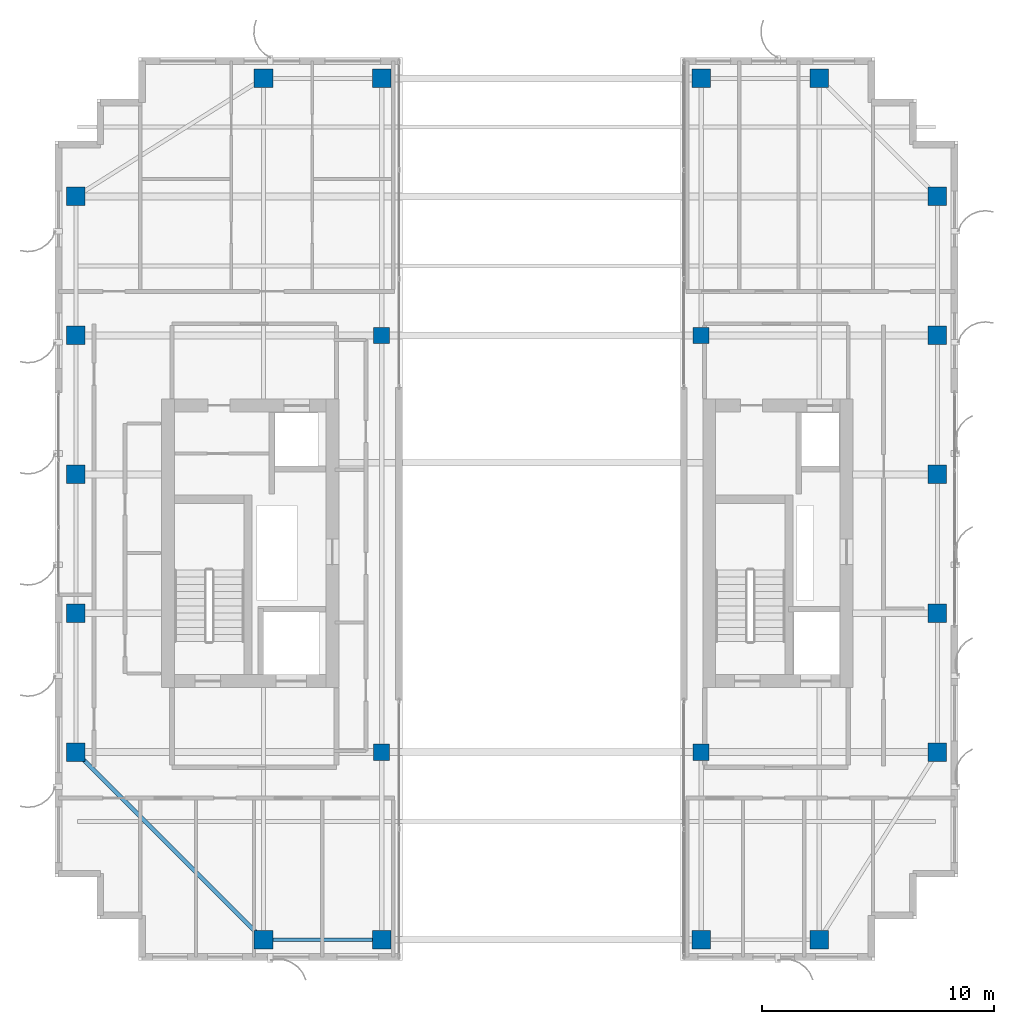
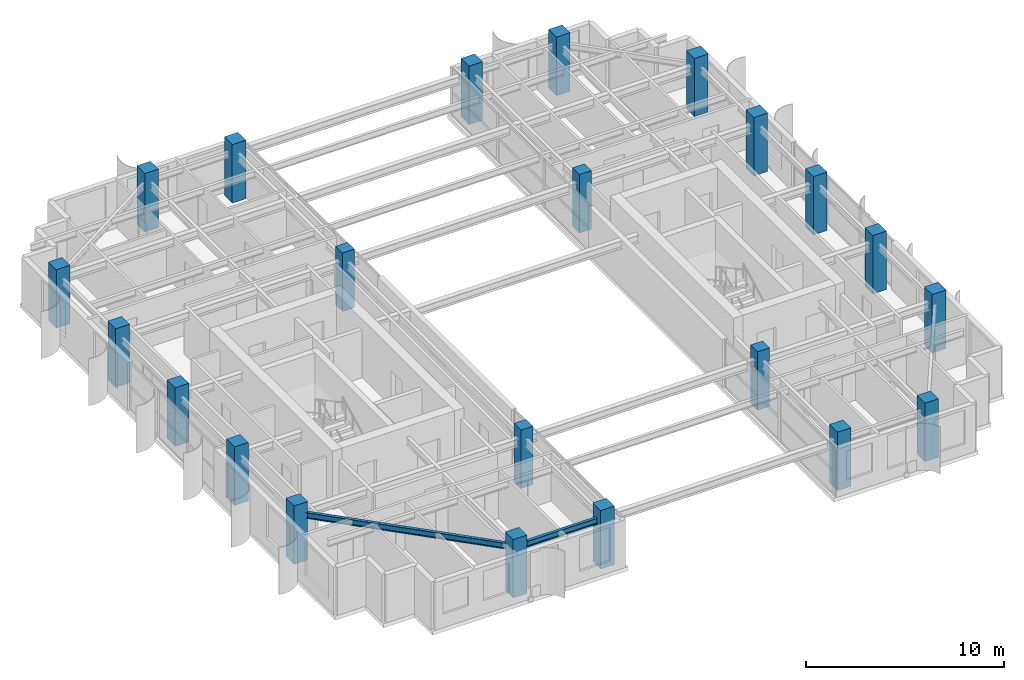
# One storey, part 1 of 25: 22 columns, 2 beams.
"""IFC4 building model written with IfcOpenShell, lengths in metres."""

from ifc_helpers import new_model, si_unit, direction, frame, origin, origin_2d, place, context, subcontext, project, spatial, rectangle, i_section, extrude, source, transform, mapped, material, material_profile, profile_set, type_object, element, save


model = new_model("IFC4")

# Units and contexts
model_context = context("Model", 3, precision=1e-05, world=origin(), true_north=direction((0.0, 1.0)))
body_context = subcontext(model_context, "Body", "Model", "MODEL_VIEW")
ifc_project = project(units=[si_unit("LENGTHUNIT", "METRE"), si_unit("AREAUNIT", "SQUARE_METRE"), si_unit("VOLUMEUNIT", "CUBIC_METRE"), si_unit("PLANEANGLEUNIT", "RADIAN"), si_unit("MASSUNIT", "GRAM", prefix="KILO")], contexts=[model_context])

# Site, building, storey
site_placement = place(None, origin())
site = spatial("IfcSite", under=ifc_project, at=site_placement, CompositionType="ELEMENT")
building_placement = place(site_placement, origin())
building = spatial("IfcBuilding", under=site, at=building_placement, Name="Khoralis Quay Care Tower", CompositionType="ELEMENT")
storey_placement = place(building_placement, frame((0.0, 0.0, 263.699951171875)))
storey = spatial("IfcBuildingStorey", under=building, at=storey_placement, Name="L69", CompositionType="ELEMENT", Elevation=263.699951171875)

# Columns
ifc_material_1 = material(Name="Concrete C50/60", Category="concrete")
ifc_material_profile_1 = material_profile(ifc_material_1, rectangle(XDim=0.800048828125, YDim=0.800048828125, at=origin_2d()), Name="Concrete C50/60")
ifc_profile_set_1 = profile_set([ifc_material_profile_1], Name="Concrete C50/60")
column_type_1 = type_object("IfcColumnType", Name="COL-C800", PredefinedType="COLUMN", material=ifc_profile_set_1)
shared_shape_1 = source(origin(), body_context, "Body", "SweptSolid", [
    extrude(rectangle(XDim=0.800048828125, YDim=0.800048828125, at=origin_2d()), origin(), (0.0, 0.0, 1.0), 3.60009765625),
])
for number, where, z_axis, x_axis, name in (
    (1, (12.0, 3.89990234375, 0.0), (0.0, 0.0, 1.0), (1.0, 0.0, 0.0), "COL-TWR-L69-01"),
    (2, (12.0, 41.10009765625, 0.0), (0.0, 0.0, 1.0), (1.0, 0.0, 0.0), "COL-TWR-L69-02"),
    (3, (17.10009765625, 3.89990234375, 0.0), (0.0, 0.0, 1.0), (1.0, 0.0, 0.0), "COL-TWR-L69-03"),
    (4, (17.10009765625, 41.10009765625, 0.0), (0.0, 0.0, 1.0), (1.0, 0.0, 0.0), "COL-TWR-L69-04"),
    (5, (30.89990234375, 3.89990234375, 0.0), (0.0, 0.0, 1.0), (1.0, 0.0, 0.0), "COL-TWR-L69-05"),
    (6, (30.89990234375, 41.10009765625, 0.0), (0.0, 0.0, 1.0), (1.0, 0.0, 0.0), "COL-TWR-L69-06"),
    (7, (36.0, 3.89990234375, 0.0), (0.0, 0.0, 1.0), (1.0, 0.0, 0.0), "COL-TWR-L69-07"),
    (8, (36.0, 41.10009765625, 0.0), (0.0, 0.0, 1.0), (1.0, 0.0, 0.0), "COL-TWR-L69-08"),
    (9, (3.89990234375, 12.0, 0.0), (0.0, 0.0, 1.0), (1.0, 0.0, 0.0), "COL-TWR-L69-09"),
    (10, (41.10009765625, 12.0, 0.0), (0.0, 0.0, 1.0), (1.0, 0.0, 0.0), "COL-TWR-L69-10"),
    (11, (3.89990234375, 18.0, 0.0), (0.0, 0.0, 1.0), (1.0, 0.0, 0.0), "COL-TWR-L69-11"),
    (12, (41.10009765625, 18.0, 0.0), (0.0, 0.0, 1.0), (1.0, 0.0, 0.0), "COL-TWR-L69-12"),
    (13, (3.89990234375, 24.0, 0.0), (0.0, 0.0, 1.0), (1.0, 0.0, 0.0), "COL-TWR-L69-13"),
    (14, (41.10009765625, 24.0, 0.0), (0.0, 0.0, 1.0), (1.0, 0.0, 0.0), "COL-TWR-L69-14"),
    (15, (3.89990234375, 30.0, 0.0), (0.0, 0.0, 1.0), (1.0, 0.0, 0.0), "COL-TWR-L69-15"),
    (16, (41.10009765625, 30.0, 0.0), (0.0, 0.0, 1.0), (1.0, 0.0, 0.0), "COL-TWR-L69-16"),
    (17, (3.89990234375, 36.0, 0.0), (0.0, 0.0, 1.0), (1.0, 0.0, 0.0), "COL-TWR-L69-17"),
    (18, (41.10009765625, 36.0, 0.0), (0.0, 0.0, 1.0), (1.0, 0.0, 0.0), "COL-TWR-L69-18"),
):
    element("IfcColumn", number, at=place(storey_placement, frame(where, z_axis=z_axis, x_axis=x_axis)), inside=storey, type_object=column_type_1, Name=name, PredefinedType="COLUMN", context=body_context, shape_type="MappedRepresentation", body=[
        mapped(shared_shape_1, transform((0.0, 0.0, 0.0), scale=1.0)),
    ])
ifc_material_profile_2 = material_profile(ifc_material_1, rectangle(XDim=0.699951171875, YDim=0.699951171875, at=origin_2d()), Name="Concrete C50/60")
ifc_profile_set_2 = profile_set([ifc_material_profile_2], Name="Concrete C50/60")
column_type_2 = type_object("IfcColumnType", Name="COL-C700", PredefinedType="COLUMN", material=ifc_profile_set_2)
shared_shape_2 = source(origin(), body_context, "Body", "SweptSolid", [
    extrude(rectangle(XDim=0.699951171875, YDim=0.699951171875, at=origin_2d()), origin(), (0.0, 0.0, 1.0), 3.60009765625),
])
for number, where, z_axis, x_axis, name in (
    (19, (17.10009765625, 12.0, 0.0), (0.0, 0.0, 1.0), (1.0, 0.0, 0.0), "COL-TWR-L69-19"),
    (20, (17.10009765625, 30.0, 0.0), (0.0, 0.0, 1.0), (1.0, 0.0, 0.0), "COL-TWR-L69-20"),
    (21, (30.89990234375, 12.0, 0.0), (0.0, 0.0, 1.0), (1.0, 0.0, 0.0), "COL-TWR-L69-21"),
    (22, (30.89990234375, 30.0, 0.0), (0.0, 0.0, 1.0), (1.0, 0.0, 0.0), "COL-TWR-L69-22"),
):
    element("IfcColumn", number, at=place(storey_placement, frame(where, z_axis=z_axis, x_axis=x_axis)), inside=storey, type_object=column_type_2, Name=name, PredefinedType="COLUMN", context=body_context, shape_type="MappedRepresentation", body=[
        mapped(shared_shape_2, transform((0.0, 0.0, 0.0), scale=1.0)),
    ])

# Beams
ifc_material_2 = material(Name="Steel S355", Category="steel")
ifc_material_profile_3 = material_profile(ifc_material_2, i_section(OverallWidth=0.169921875, OverallDepth=0.360107421875, WebThickness=0.008056640625, FlangeThickness=0.0126953125, FilletRadius=0.01806640625, at=origin_2d()), Name="Steel S355")
ifc_profile_set_3 = profile_set([ifc_material_profile_3], Name="Steel S355")
beam_type = type_object("IfcBeamType", Name="BM-IPE360", PredefinedType="SPANDREL", material=ifc_profile_set_3)
shared_shape_3 = source(origin(), body_context, "Body", "SweptSolid", [
    extrude(i_section(OverallWidth=0.169921875, OverallDepth=0.360107421875, WebThickness=0.008056640625, FlangeThickness=0.0126953125, FilletRadius=0.01806640625, at=origin_2d()), origin(), (0.0, 0.0, 1.0), 5.10009765625),
])
beam_1_placement = place(storey_placement, frame((12.0, 3.89990234375, 2.77001953125), z_axis=(1.0, 0.0, 0.0), x_axis=(0.0, 1.0, 0.0)))
element("IfcBeam", 23, at=beam_1_placement, inside=storey, type_object=beam_type, Name="BM-TSP-L69-01", PredefinedType="SPANDREL", context=body_context, shape_type="MappedRepresentation", body=[
    mapped(shared_shape_3, transform((0.0, 0.0, 0.0), scale=1.0)),
])
shared_shape_4 = source(origin(), body_context, "Body", "SweptSolid", [
    extrude(i_section(OverallWidth=0.169921875, OverallDepth=0.360107421875, WebThickness=0.008056640625, FlangeThickness=0.0126953125, FilletRadius=0.01806640625, at=origin_2d()), origin(), (0.0, 0.0, 1.0), 11.455322265625),
])
beam_2_placement = place(storey_placement, frame((12.0, 3.89990234375, 2.77001953125), z_axis=(-0.707106781187, 0.707106781187, 0.0), x_axis=(-0.707106781187, -0.707106781187, 0.0)))
element("IfcBeam", 24, at=beam_2_placement, inside=storey, type_object=beam_type, Name="BM-TCR-L69-15", PredefinedType="SPANDREL", context=body_context, shape_type="MappedRepresentation", body=[
    mapped(shared_shape_4, transform((0.0, 0.0, 0.0), scale=1.0)),
])

save(model, "model.ifc")
